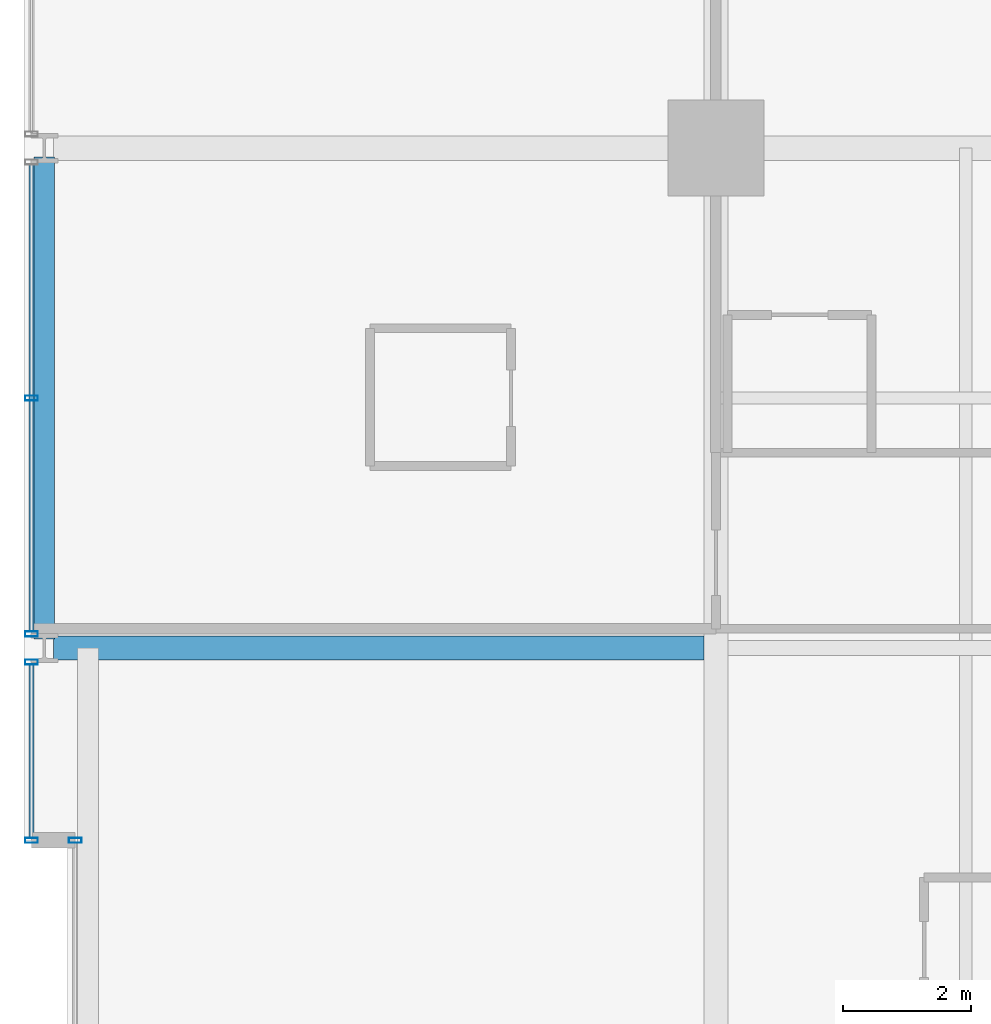
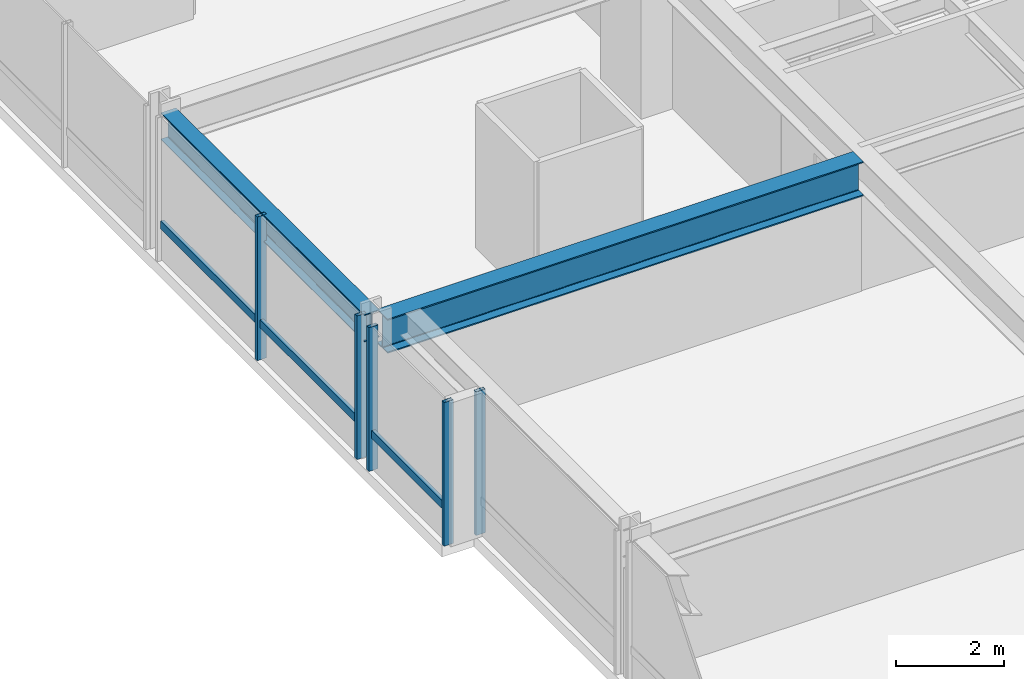
# One storey, part 16 of 34: 7 members, 2 beams, 3 elements without a shape of their own.
"""IFC4 building model written with IfcOpenShell, lengths in metres."""

from ifc_helpers import new_model, si_unit, direction, frame, origin, origin_2d, place, context, subcontext, project, spatial, hollow_rectangle, i_section, extrude, material, layer, layer_set, material_profile, profile_set, type_object, element, aggregate, save


model = new_model("IFC4")

# Units and contexts
model_context = context("Model", 3, precision=1e-05, world=origin(), true_north=direction((0.0, 1.0)))
body_context = subcontext(model_context, "Body", "Model", "MODEL_VIEW")
ifc_project = project(units=[si_unit("LENGTHUNIT", "METRE"), si_unit("AREAUNIT", "SQUARE_METRE"), si_unit("VOLUMEUNIT", "CUBIC_METRE"), si_unit("PLANEANGLEUNIT", "RADIAN"), si_unit("MASSUNIT", "GRAM", prefix="KILO")], contexts=[model_context])

# Site, building, storey
site_placement = place(None, origin())
site = spatial("IfcSite", under=ifc_project, at=site_placement, CompositionType="ELEMENT")
building_placement = place(site_placement, origin())
building = spatial("IfcBuilding", under=site, at=building_placement, Name="Drelvath Grand Hotel", CompositionType="ELEMENT")
storey_placement = place(building_placement, frame((0.0, 0.0, 112.800048828125)))
storey = spatial("IfcBuildingStorey", under=building, at=storey_placement, Name="L28", CompositionType="ELEMENT", Elevation=112.800048828125)

# Curtain wall, member
ifc_material_1 = material(Name="Champagne Bronze Anodised Aluminium Frame", Category="aluminium")
ifc_layer = layer(ifc_material_1, 0.199951171875)
ifc_layer_set = layer_set([ifc_layer], Name="Champagne Bronze Anodised Aluminium Frame")
curtain_wall_type = type_object("IfcCurtainWallType", Name="Stick Curtain Wall CW-03 Champagne Bronze Mid-Rise", PredefinedType="NOTDEFINED", material=ifc_layer_set)
curtain_wall_1_placement = place(storey_placement, origin())
curtain_wall_1 = element("IfcCurtainWall", 1, at=curtain_wall_1_placement, inside=storey, type_object=curtain_wall_type, Name="L28 CW-03 Curtain Wall CW03-L28-WN1", PredefinedType="NOTDEFINED")
ifc_material_profile_1 = material_profile(ifc_material_1, hollow_rectangle(XDim=0.074951171875, YDim=0.179931640625, WallThickness=0.0048828125, at=origin_2d()), Name="HSS180X75X5")
ifc_profile_set_1 = profile_set([ifc_material_profile_1], Name="Champagne Bronze Anodised Aluminium Frame")
member_type_1 = type_object("IfcMemberType", Name="Curtain Wall Horizontal Transom CW-03 HSS180X75X5", PredefinedType="USERDEFINED", material=ifc_profile_set_1)
member_1_placement = place(storey_placement, frame((-26.8798828125, 32.43994140625, 0.81005859375), z_axis=(0.0, 1.0, 0.0), x_axis=(-1.0, 0.0, 0.0)))
member_1 = element("IfcMember", 2, at=member_1_placement, type_object=member_type_1, Name="CW03-L28-WN1 Sill Transom", ObjectType="TRANSOM", PredefinedType="USERDEFINED", context=body_context, shape_type="SweptSolid", body=[
    extrude(hollow_rectangle(XDim=0.074951171875, YDim=0.179931640625, WallThickness=0.0048828125, at=origin_2d()), origin(), (0.0, 0.0, 1.0), 2.700439453125),
])

curtain_wall_2_placement = place(storey_placement, origin())
curtain_wall_2 = element("IfcCurtainWall", 3, at=curtain_wall_2_placement, inside=storey, type_object=curtain_wall_type, Name="L28 CW-03 Curtain Wall CW03-L28-WN2", PredefinedType="NOTDEFINED")
member_2_placement = place(storey_placement, frame((-26.8798828125, 35.65966796875, 0.81005859375), z_axis=(0.0, 1.0, 0.0), x_axis=(-1.0, 0.0, 0.0)))
member_2 = element("IfcMember", 4, at=member_2_placement, type_object=member_type_1, Name="CW03-L28-WN2 Sill Transom", ObjectType="TRANSOM", PredefinedType="USERDEFINED", context=body_context, shape_type="SweptSolid", body=[
    extrude(hollow_rectangle(XDim=0.074951171875, YDim=0.179931640625, WallThickness=0.0048828125, at=origin_2d()), origin(), (0.0, 0.0, 1.0), 7.28076171875),
])

curtain_wall_3_placement = place(storey_placement, origin())
curtain_wall_3 = element("IfcCurtainWall", 5, at=curtain_wall_3_placement, inside=storey, type_object=curtain_wall_type, Name="L28 CW-03 Curtain Wall CW03-L28-WM2", PredefinedType="NOTDEFINED")
ifc_material_profile_2 = material_profile(ifc_material_1, hollow_rectangle(XDim=0.080078125, YDim=0.199951171875, WallThickness=0.0048828125, at=origin_2d()), Name="HSS200X80X5")
ifc_profile_set_2 = profile_set([ifc_material_profile_2], Name="Champagne Bronze Anodised Aluminium Frame")
member_type_2 = type_object("IfcMemberType", Name="Curtain Wall Vertical Mullion CW-03 HSS200X80X5", PredefinedType="MULLION", material=ifc_profile_set_2)
member_3_placement = place(storey_placement, frame((-26.199951171875, 32.39990234375, 0.0), z_axis=(0.0, 0.0, 1.0), x_axis=(0.0, 1.0, 0.0)))
member_3 = element("IfcMember", 6, at=member_3_placement, type_object=member_type_2, Name="CW03-L28-WM2 Mullion 2", PredefinedType="MULLION", context=body_context, shape_type="SweptSolid", body=[
    extrude(hollow_rectangle(XDim=0.080078125, YDim=0.199951171875, WallThickness=0.0048828125, at=origin_2d()), origin(), (0.0, 0.0, 1.0), 3.239990234375),
])
aggregate(curtain_wall_3, [member_3])

# Member
member_4_placement = place(storey_placement, frame((-26.8798828125, 32.39990234375, 0.0), z_axis=(0.0, 0.0, 1.0), x_axis=(0.0, 1.0, 0.0)))
member_4 = element("IfcMember", 7, at=member_4_placement, type_object=member_type_2, Name="CW03-L28-WN1 Mullion 1", PredefinedType="MULLION", context=body_context, shape_type="SweptSolid", body=[
    extrude(hollow_rectangle(XDim=0.080078125, YDim=0.199951171875, WallThickness=0.0048828125, at=origin_2d()), origin(), (0.0, 0.0, 1.0), 3.239990234375),
])

member_5_placement = place(storey_placement, frame((-26.8798828125, 35.180419921875, 0.0), z_axis=(0.0, 0.0, 1.0), x_axis=(0.0, 1.0, 0.0)))
member_5 = element("IfcMember", 8, at=member_5_placement, type_object=member_type_2, Name="CW03-L28-WN1 Mullion 2", PredefinedType="MULLION", context=body_context, shape_type="SweptSolid", body=[
    extrude(hollow_rectangle(XDim=0.080078125, YDim=0.199951171875, WallThickness=0.0048828125, at=origin_2d()), origin(), (0.0, 0.0, 1.0), 3.239990234375),
])

aggregate(curtain_wall_1, [member_4, member_5, member_1])

member_6_placement = place(storey_placement, frame((-26.8798828125, 35.61962890625, 0.0), z_axis=(0.0, 0.0, 1.0), x_axis=(0.0, 1.0, 0.0)))
member_6 = element("IfcMember", 9, at=member_6_placement, type_object=member_type_2, Name="CW03-L28-WN2 Mullion 1", PredefinedType="MULLION", context=body_context, shape_type="SweptSolid", body=[
    extrude(hollow_rectangle(XDim=0.080078125, YDim=0.199951171875, WallThickness=0.0048828125, at=origin_2d()), origin(), (0.0, 0.0, 1.0), 3.239990234375),
])

member_7_placement = place(storey_placement, frame((-26.8798828125, 39.300048828125, 0.0), z_axis=(0.0, 0.0, 1.0), x_axis=(0.0, 1.0, 0.0)))
member_7 = element("IfcMember", 10, at=member_7_placement, type_object=member_type_2, Name="CW03-L28-WN2 Mullion 2", PredefinedType="MULLION", context=body_context, shape_type="SweptSolid", body=[
    extrude(hollow_rectangle(XDim=0.080078125, YDim=0.199951171875, WallThickness=0.0048828125, at=origin_2d()), origin(), (0.0, 0.0, 1.0), 3.239990234375),
])

aggregate(curtain_wall_2, [member_6, member_7, member_2])

# Beams
ifc_material_2 = material(Name="Steel ASTM A992 Gr 50", Category="steel")
ifc_material_profile_3 = material_profile(ifc_material_2, i_section(OverallWidth=0.323974609375, OverallDepth=0.611083984375, WebThickness=0.0126953125, FlangeThickness=0.01904296875, FilletRadius=0.02197265625, at=origin_2d()), Name="W24X104")
ifc_profile_set_3 = profile_set([ifc_material_profile_3], Name="Steel ASTM A992 Gr 50")
beam_type_1 = type_object("IfcBeamType", Name="Perimeter Spandrel Beam W24X104", PredefinedType="SPANDREL", material=ifc_profile_set_3)
beam_1_placement = place(storey_placement, frame((-26.679931640625, 35.5400390625, 2.9345703125), z_axis=(0.0, 1.0, 0.0), x_axis=(-1.0, 0.0, 0.0)))
element("IfcBeam", 11, at=beam_1_placement, inside=storey, type_object=beam_type_1, Name="L28 Spandrel West N", PredefinedType="SPANDREL", context=body_context, shape_type="SweptSolid", body=[
    extrude(i_section(OverallWidth=0.323974609375, OverallDepth=0.611083984375, WebThickness=0.0126953125, FlangeThickness=0.01904296875, FilletRadius=0.02197265625, at=origin_2d()), origin(), (0.0, 0.0, 1.0), 7.52001953125),
])
ifc_material_profile_4 = material_profile(ifc_material_2, i_section(OverallWidth=0.380615234375, OverallDepth=0.773193359375, WebThickness=0.0166015625, FlangeThickness=0.027099609375, FilletRadius=0.02490234375, at=origin_2d()), Name="W30X173")
ifc_profile_set_4 = profile_set([ifc_material_profile_4], Name="Steel ASTM A992 Gr 50")
beam_type_2 = type_object("IfcBeamType", Name="Primary Floor Girder W30X173", PredefinedType="BEAM", material=ifc_profile_set_4)
beam_2_placement = place(storey_placement, frame((-26.5400390625, 35.39990234375, 2.853271484375), z_axis=(1.0, 0.0, 0.0), x_axis=(0.0, 1.0, 0.0)))
element("IfcBeam", 12, at=beam_2_placement, inside=storey, type_object=beam_type_2, Name="L28 West Wing Girder F", PredefinedType="BEAM", context=body_context, shape_type="SweptSolid", body=[
    extrude(i_section(OverallWidth=0.380615234375, OverallDepth=0.773193359375, WebThickness=0.0166015625, FlangeThickness=0.027099609375, FilletRadius=0.02490234375, at=origin_2d()), origin(), (0.0, 0.0, 1.0), 10.149658203125),
])

save(model, "model.ifc")
